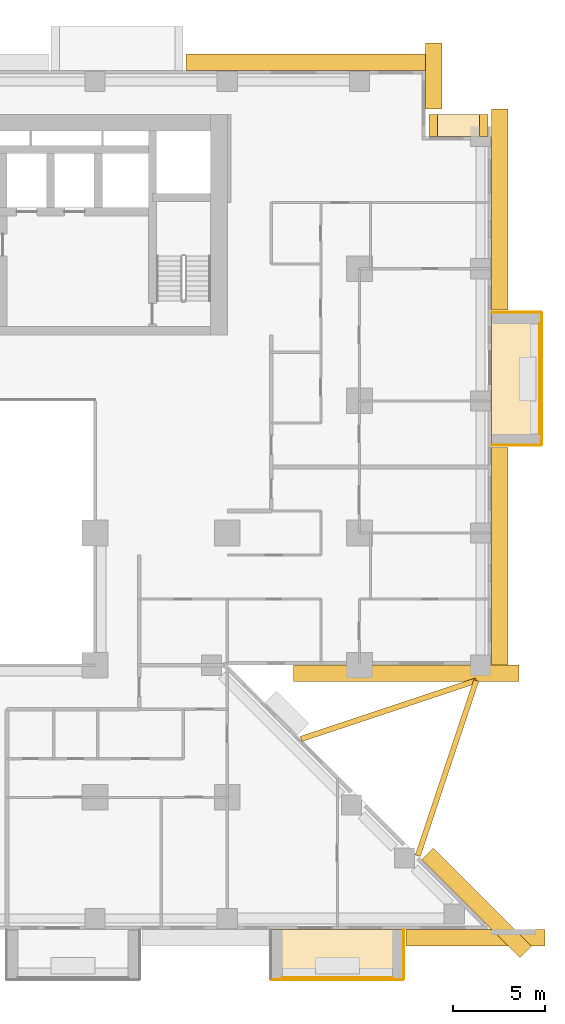
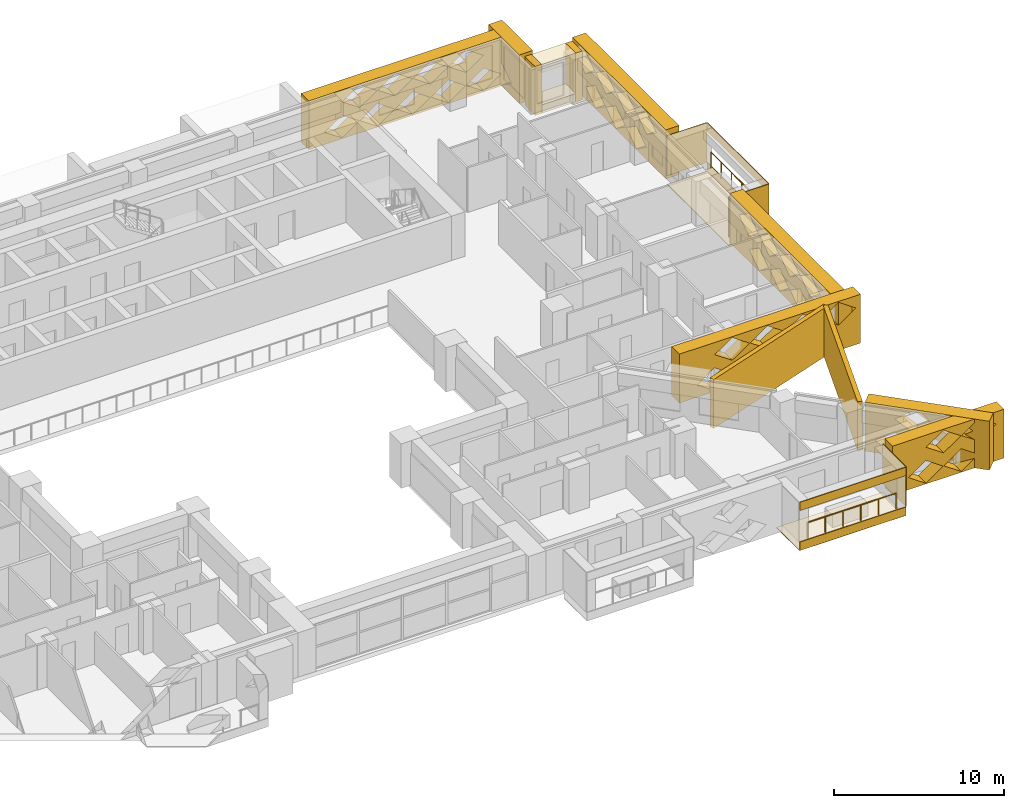
# One storey, part 17 of 17: 22 coverings, 2 railings.
"""IFC4 building model written with IfcOpenShell, lengths in metres."""

from ifc_helpers import new_model, si_unit, direction, frame, origin, origin_2d, place, context, subcontext, project, spatial, polyline, circle, outline, extrude, material, layer, layer_set, type_object, element, save


model = new_model("IFC4")

# Units and contexts
model_context = context("Model", 3, precision=1e-05, world=origin(), true_north=direction((0.0, 1.0)))
body_context = subcontext(model_context, "Body", "Model", "MODEL_VIEW")
ifc_project = project(units=[si_unit("LENGTHUNIT", "METRE"), si_unit("AREAUNIT", "SQUARE_METRE"), si_unit("VOLUMEUNIT", "CUBIC_METRE"), si_unit("PLANEANGLEUNIT", "RADIAN"), si_unit("MASSUNIT", "GRAM", prefix="KILO")], contexts=[model_context])

# Site, building, storey
site_placement = place(None, origin())
site = spatial("IfcSite", under=ifc_project, at=site_placement, CompositionType="ELEMENT")
building_placement = place(site_placement, origin())
building = spatial("IfcBuilding", under=site, at=building_placement, Name="Saffron Iwan Residences", CompositionType="ELEMENT")
storey_placement = place(building_placement, frame((0.0, 0.0, 58.5)))
storey = spatial("IfcBuildingStorey", under=building, at=storey_placement, Name="L14", CompositionType="ELEMENT", Elevation=58.5)

# Railings
ifc_material_1 = material(Name="Stainless steel 316", Category="steel")
railing_type = type_object("IfcRailingType", Name="BALCONY GUARD 1150", PredefinedType="GUARDRAIL", material=ifc_material_1)
railing_1_placement = place(storey_placement, frame((89.02490234375, 60.60009765625, 0.0)))
element("IfcRailing", 1, at=railing_1_placement, inside=storey, type_object=railing_type, Name="Balcony guard L14 F2-0", PredefinedType="GUARDRAIL", context=body_context, shape_type="SweptSolid", body=[
    extrude(circle(Radius=0.02392578125, at=origin_2d()), frame((0.0, 0.0, 1.1259765625), z_axis=(0.0, 1.0, 0.0), x_axis=(-1.0, 0.0, 0.0)), (0.0, 0.0, 1.0), 6.0),
    extrude(circle(Radius=0.02099609375, at=origin_2d()), origin(), (0.0, 0.0, 1.0), 1.101806640625),
    extrude(circle(Radius=0.02099609375, at=origin_2d()), frame((0.0, 1.199951171875, 0.0)), (0.0, 0.0, 1.0), 1.101806640625),
    extrude(circle(Radius=0.02099609375, at=origin_2d()), frame((0.0, 2.39990234375, 0.0)), (0.0, 0.0, 1.0), 1.101806640625),
    extrude(circle(Radius=0.02099609375, at=origin_2d()), frame((0.0, 3.60009765625, 0.0)), (0.0, 0.0, 1.0), 1.101806640625),
    extrude(circle(Radius=0.02099609375, at=origin_2d()), frame((0.0, 4.800048828125, 0.0)), (0.0, 0.0, 1.0), 1.101806640625),
    extrude(circle(Radius=0.02099609375, at=origin_2d()), frame((0.0, 6.0, 0.0)), (0.0, 0.0, 1.0), 1.101806640625),
])
railing_2_placement = place(storey_placement, frame((75.0, 30.97509765625, 0.0)))
element("IfcRailing", 2, at=railing_2_placement, inside=storey, type_object=railing_type, Name="Balcony guard L14 11-2", PredefinedType="GUARDRAIL", context=body_context, shape_type="SweptSolid", body=[
    extrude(circle(Radius=0.02392578125, at=origin_2d()), frame((0.0, 0.0, 1.1259765625), z_axis=(1.0, 0.0, 0.0), x_axis=(0.0, 1.0, 0.0)), (0.0, 0.0, 1.0), 6.0),
    extrude(circle(Radius=0.02099609375, at=origin_2d()), origin(), (0.0, 0.0, 1.0), 1.101806640625),
    extrude(circle(Radius=0.02099609375, at=origin_2d()), frame((1.199951171875, 0.0, 0.0)), (0.0, 0.0, 1.0), 1.101806640625),
    extrude(circle(Radius=0.02099609375, at=origin_2d()), frame((2.39990234375, 0.0, 0.0)), (0.0, 0.0, 1.0), 1.101806640625),
    extrude(circle(Radius=0.02099609375, at=origin_2d()), frame((3.60009765625, 0.0, 0.0)), (0.0, 0.0, 1.0), 1.101806640625),
    extrude(circle(Radius=0.02099609375, at=origin_2d()), frame((4.800048828125, 0.0, 0.0)), (0.0, 0.0, 1.0), 1.101806640625),
    extrude(circle(Radius=0.02099609375, at=origin_2d()), frame((6.0, 0.0, 0.0)), (0.0, 0.0, 1.0), 1.101806640625),
])

# Coverings
ifc_material_2 = material(Name="Precast concrete C40/50 white painted", Category="concrete")
ifc_layer_1 = layer(ifc_material_2, 0.050048828125)
ifc_layer_set_1 = layer_set([ifc_layer_1], Name="Precast concrete C40/50 white painted")
covering_type_1 = type_object("IfcCoveringType", Name="FRAME SKIN PRECAST WHITE 50", PredefinedType="CLADDING", material=ifc_layer_set_1)
for number, where, name in (
    (3, (0.0, 0.0, -0.60009765625), "Frame skin slab edge L14 F2-0"),
    (4, (0.0, 0.0, 2.25), "Frame skin fascia L14 F2-0"),
):
    element("IfcCovering", number, at=place(storey_placement, frame(where)), inside=storey, type_object=covering_type_1, Name=name, PredefinedType="CLADDING", context=body_context, shape_type="SweptSolid", body=[
        extrude(outline(polyline([(89.14990234375, 60.0), (89.14990234375, 67.199951171875), (89.10009765625, 67.199951171875), (89.10009765625, 60.0), (89.14990234375, 60.0)])), origin(), (0.0, 0.0, 1.0), 0.60009765625),
    ])
covering_1_placement = place(storey_placement, frame((0.0, 0.0, -0.64990234375)))
element("IfcCovering", 5, at=covering_1_placement, inside=storey, type_object=covering_type_1, Name="Frame skin soffit L14 F2-0", PredefinedType="CLADDING", context=body_context, shape_type="SweptSolid", body=[
    extrude(outline(polyline([(89.10009765625, 60.0), (89.10009765625, 67.199951171875), (86.39990234375, 67.199951171875), (86.39990234375, 60.0), (89.10009765625, 60.0)])), origin(), (0.0, 0.0, 1.0), 0.0498046875),
])
covering_2_placement = place(storey_placement, origin())
element("IfcCovering", 6, at=covering_2_placement, inside=storey, type_object=covering_type_1, Name="Frame skin fin L14 F2-0a", PredefinedType="CLADDING", context=body_context, shape_type="SweptSolid", body=[
    extrude(outline(polyline([(89.10009765625, 59.949951171875), (89.10009765625, 60.0), (86.39990234375, 60.0), (86.39990234375, 59.949951171875), (89.10009765625, 59.949951171875)])), origin(), (0.0, 0.0, 1.0), 2.85009765625),
])
covering_3_placement = place(storey_placement, origin())
element("IfcCovering", 7, at=covering_3_placement, inside=storey, type_object=covering_type_1, Name="Frame skin fin L14 F2-0b", PredefinedType="CLADDING", context=body_context, shape_type="SweptSolid", body=[
    extrude(outline(polyline([(89.10009765625, 67.199951171875), (89.10009765625, 67.25), (86.39990234375, 67.25), (86.39990234375, 67.199951171875), (89.10009765625, 67.199951171875)])), origin(), (0.0, 0.0, 1.0), 2.85009765625),
])
for number, where, name in (
    (8, (0.0, 0.0, -0.60009765625), "Frame skin slab edge L14 11-2"),
    (9, (0.0, 0.0, 2.25), "Frame skin fascia L14 11-2"),
):
    element("IfcCovering", number, at=place(storey_placement, frame(where)), inside=storey, type_object=covering_type_1, Name=name, PredefinedType="CLADDING", context=body_context, shape_type="SweptSolid", body=[
        extrude(outline(polyline([(74.39990234375, 30.85009765625), (81.60009765625, 30.85009765625), (81.60009765625, 30.89990234375), (74.39990234375, 30.89990234375), (74.39990234375, 30.85009765625)])), origin(), (0.0, 0.0, 1.0), 0.60009765625),
    ])
covering_4_placement = place(storey_placement, frame((0.0, 0.0, -0.64990234375)))
element("IfcCovering", 10, at=covering_4_placement, inside=storey, type_object=covering_type_1, Name="Frame skin soffit L14 11-2", PredefinedType="CLADDING", context=body_context, shape_type="SweptSolid", body=[
    extrude(outline(polyline([(74.39990234375, 30.89990234375), (81.60009765625, 30.89990234375), (81.60009765625, 33.60009765625), (74.39990234375, 33.60009765625), (74.39990234375, 30.89990234375)])), origin(), (0.0, 0.0, 1.0), 0.0498046875),
])
covering_5_placement = place(storey_placement, origin())
element("IfcCovering", 11, at=covering_5_placement, inside=storey, type_object=covering_type_1, Name="Frame skin fin L14 11-2b", PredefinedType="CLADDING", context=body_context, shape_type="SweptSolid", body=[
    extrude(outline(polyline([(81.60009765625, 30.89990234375), (81.64990234375, 30.89990234375), (81.64990234375, 33.60009765625), (81.60009765625, 33.60009765625), (81.60009765625, 30.89990234375)])), origin(), (0.0, 0.0, 1.0), 2.85009765625),
])
ifc_material_3 = material(Name="Precast concrete C40/50", Category="concrete")
covering_type_2 = type_object("IfcCoveringType", Name="OUTER SKIN LATTICE SCREEN", PredefinedType="CLADDING", material=ifc_material_3)
covering_6_placement = place(storey_placement, frame((87.939453125, 32.060546875, -0.320068359375), z_axis=(0.706971125213, 0.70724241114, 0.0), x_axis=(-0.70724241114, 0.706971125213, 0.0)))
element("IfcCovering", 12, at=covering_6_placement, inside=storey, type_object=covering_type_2, Name="OUTER SKIN lattice screen L14 F0.0", PredefinedType="CLADDING", context=body_context, shape_type="SweptSolid", body=[
    extrude(outline(polyline([(0.0, 0.0), (7.559326171875, 0.0), (7.559326171875, 3.5), (0.0, 3.5), (0.0, 0.0)]), holes=[polyline([(2.197021484375, 0.875), (3.377197265625, 0.06005859375), (4.55712890625, 0.875), (3.377197265625, 1.68994140625), (2.197021484375, 0.875)]), polyline([(4.59716796875, 0.875), (5.777099609375, 0.06005859375), (6.95703125, 0.875), (5.777099609375, 1.68994140625), (4.59716796875, 0.875)]), polyline([(0.9970703125, 2.625), (2.177001953125, 1.81005859375), (3.357177734375, 2.625), (2.177001953125, 3.43994140625), (0.9970703125, 2.625)]), polyline([(3.397216796875, 2.625), (4.5771484375, 1.81005859375), (5.757080078125, 2.625), (4.5771484375, 3.43994140625), (3.397216796875, 2.625)])]), origin(), (0.0, 0.0, 1.0), 0.89990234375),
])
covering_7_placement = place(storey_placement, frame((75.6171875, 48.0, -0.320068359375), z_axis=(0.0, -1.0, 0.0), x_axis=(1.0, 0.0, 0.0)))
element("IfcCovering", 13, at=covering_7_placement, inside=storey, type_object=covering_type_2, Name="OUTER SKIN lattice screen L14 F1.0", PredefinedType="CLADDING", context=body_context, shape_type="SweptSolid", body=[
    extrude(outline(polyline([(0.0, 0.0), (12.282958984375, 0.0), (12.282958984375, 3.5), (0.0, 3.5), (0.0, 0.0)]), holes=[polyline([(1.202880859375, 0.875), (2.3828125, 0.06005859375), (3.56298828125, 0.875), (2.3828125, 1.68994140625), (1.202880859375, 0.875)]), polyline([(3.602783203125, 0.875), (4.782958984375, 0.06005859375), (5.962890625, 0.875), (4.782958984375, 1.68994140625), (3.602783203125, 0.875)]), polyline([(6.0029296875, 0.875), (7.182861328125, 0.06005859375), (8.36279296875, 0.875), (7.182861328125, 1.68994140625), (6.0029296875, 0.875)]), polyline([(8.40283203125, 0.875), (9.5830078125, 0.06005859375), (10.762939453125, 0.875), (9.5830078125, 1.68994140625), (8.40283203125, 0.875)]), polyline([(2.40283203125, 2.625), (3.5830078125, 1.81005859375), (4.762939453125, 2.625), (3.5830078125, 3.43994140625), (2.40283203125, 2.625)]), polyline([(4.802978515625, 2.625), (5.98291015625, 1.81005859375), (7.162841796875, 2.625), (5.98291015625, 3.43994140625), (4.802978515625, 2.625)]), polyline([(7.202880859375, 2.625), (8.3828125, 1.81005859375), (9.56298828125, 2.625), (8.3828125, 3.43994140625), (7.202880859375, 2.625)]), polyline([(9.602783203125, 2.625), (10.782958984375, 1.81005859375), (11.962890625, 2.625), (10.782958984375, 3.43994140625), (9.602783203125, 2.625)])]), origin(), (0.0, 0.0, 1.0), 0.89990234375),
])
covering_8_placement = place(storey_placement, frame((86.39990234375, 47.10009765625, -0.320068359375), z_axis=(1.0, 0.0, 0.0), x_axis=(0.0, 1.0, 0.0)))
element("IfcCovering", 14, at=covering_8_placement, inside=storey, type_object=covering_type_2, Name="OUTER SKIN lattice screen L14 F2.0", PredefinedType="CLADDING", context=body_context, shape_type="SweptSolid", body=[
    extrude(outline(polyline([(0.0, 0.0), (12.75, 0.0), (12.75, 3.5), (0.0, 3.5), (0.0, 0.0)]), holes=[polyline([(0.919921875, 0.875), (2.10009765625, 0.06005859375), (3.280029296875, 0.875), (2.10009765625, 1.68994140625), (0.919921875, 0.875)]), polyline([(3.320068359375, 0.875), (4.5, 0.06005859375), (5.679931640625, 0.875), (4.5, 1.68994140625), (3.320068359375, 0.875)]), polyline([(5.719970703125, 0.875), (6.89990234375, 0.06005859375), (8.080078125, 0.875), (6.89990234375, 1.68994140625), (5.719970703125, 0.875)]), polyline([(8.1201171875, 0.875), (9.300048828125, 0.06005859375), (10.47998046875, 0.875), (9.300048828125, 1.68994140625), (8.1201171875, 0.875)]), polyline([(2.1201171875, 2.625), (3.300048828125, 1.81005859375), (4.47998046875, 2.625), (3.300048828125, 3.43994140625), (2.1201171875, 2.625)]), polyline([(4.52001953125, 2.625), (5.699951171875, 1.81005859375), (6.8798828125, 2.625), (5.699951171875, 3.43994140625), (4.52001953125, 2.625)]), polyline([(6.919921875, 2.625), (8.10009765625, 1.81005859375), (9.280029296875, 2.625), (8.10009765625, 3.43994140625), (6.919921875, 2.625)]), polyline([(9.320068359375, 2.625), (10.5, 1.81005859375), (11.679931640625, 2.625), (10.5, 3.43994140625), (9.320068359375, 2.625)])]), origin(), (0.0, 0.0, 1.0), 0.900146484375),
])
covering_9_placement = place(storey_placement, frame((86.39990234375, 67.35009765625, -0.320068359375), z_axis=(1.0, 0.0, 0.0), x_axis=(0.0, 1.0, 0.0)))
element("IfcCovering", 15, at=covering_9_placement, inside=storey, type_object=covering_type_2, Name="OUTER SKIN lattice screen L14 F2.1", PredefinedType="CLADDING", context=body_context, shape_type="SweptSolid", body=[
    extrude(outline(polyline([(0.0, 0.0), (10.949951171875, 0.0), (10.949951171875, 3.5), (0.0, 3.5), (0.0, 0.0)]), holes=[polyline([(2.27001953125, 0.875), (3.449951171875, 0.06005859375), (4.6298828125, 0.875), (3.449951171875, 1.68994140625), (2.27001953125, 0.875)]), polyline([(4.669921875, 0.875), (5.85009765625, 0.06005859375), (7.030029296875, 0.875), (5.85009765625, 1.68994140625), (4.669921875, 0.875)]), polyline([(7.070068359375, 0.875), (8.25, 0.06005859375), (9.429931640625, 0.875), (8.25, 1.68994140625), (7.070068359375, 0.875)]), polyline([(1.070068359375, 2.625), (2.25, 1.81005859375), (3.429931640625, 2.625), (2.25, 3.43994140625), (1.070068359375, 2.625)]), polyline([(3.469970703125, 2.625), (4.64990234375, 1.81005859375), (5.830078125, 2.625), (4.64990234375, 3.43994140625), (3.469970703125, 2.625)]), polyline([(5.8701171875, 2.625), (7.050048828125, 1.81005859375), (8.22998046875, 2.625), (7.050048828125, 3.43994140625), (5.8701171875, 2.625)]), polyline([(8.27001953125, 2.625), (9.449951171875, 1.81005859375), (10.6298828125, 2.625), (9.449951171875, 3.43994140625), (8.27001953125, 2.625)])]), origin(), (0.0, 0.0, 1.0), 0.900146484375),
])
covering_10_placement = place(storey_placement, frame((82.800048828125, 78.300048828125, -0.320068359375), z_axis=(1.0, 0.0, 0.0), x_axis=(0.0, 1.0, 0.0)))
element("IfcCovering", 16, at=covering_10_placement, inside=storey, type_object=covering_type_2, Name="OUTER SKIN lattice screen L14 F4.0", PredefinedType="CLADDING", context=body_context, shape_type="SweptSolid", body=[
    extrude(outline(polyline([(0.0, 0.0), (3.60009765625, 0.0), (3.60009765625, 3.5), (0.0, 3.5), (0.0, 0.0)]), holes=[polyline([(0.919921875, 0.875), (2.10009765625, 0.06005859375), (3.280029296875, 0.875), (2.10009765625, 1.68994140625), (0.919921875, 0.875)])]), origin(), (0.0, 0.0, 1.0), 0.89990234375),
])
covering_11_placement = place(storey_placement, frame((83.699951171875, 80.39990234375, -0.320068359375), z_axis=(0.0, 1.0, 0.0), x_axis=(-1.0, 0.0, 0.0)))
element("IfcCovering", 17, at=covering_11_placement, inside=storey, type_object=covering_type_2, Name="OUTER SKIN lattice screen L14 F5.0", PredefinedType="CLADDING", context=body_context, shape_type="SweptSolid", body=[
    extrude(outline(polyline([(0.0, 0.0), (13.949951171875, 0.0), (13.949951171875, 3.5), (0.0, 3.5), (0.0, 0.0)]), holes=[polyline([(0.919921875, 0.875), (2.10009765625, 0.06005859375), (3.280029296875, 0.875), (2.10009765625, 1.68994140625), (0.919921875, 0.875)]), polyline([(3.320068359375, 0.875), (4.5, 0.06005859375), (5.679931640625, 0.875), (4.5, 1.68994140625), (3.320068359375, 0.875)]), polyline([(5.719970703125, 0.875), (6.89990234375, 0.06005859375), (8.080078125, 0.875), (6.89990234375, 1.68994140625), (5.719970703125, 0.875)]), polyline([(8.1201171875, 0.875), (9.300048828125, 0.06005859375), (10.47998046875, 0.875), (9.300048828125, 1.68994140625), (8.1201171875, 0.875)]), polyline([(10.52001953125, 0.875), (11.699951171875, 0.06005859375), (12.8798828125, 0.875), (11.699951171875, 1.68994140625), (10.52001953125, 0.875)]), polyline([(2.1201171875, 2.625), (3.300048828125, 1.81005859375), (4.47998046875, 2.625), (3.300048828125, 3.43994140625), (2.1201171875, 2.625)]), polyline([(4.52001953125, 2.625), (5.699951171875, 1.81005859375), (6.8798828125, 2.625), (5.699951171875, 3.43994140625), (4.52001953125, 2.625)]), polyline([(6.919921875, 2.625), (8.10009765625, 1.81005859375), (9.280029296875, 2.625), (8.10009765625, 3.43994140625), (6.919921875, 2.625)]), polyline([(9.320068359375, 2.625), (10.5, 1.81005859375), (11.679931640625, 2.625), (10.5, 3.43994140625), (9.320068359375, 2.625)])]), origin(), (0.0, 0.0, 1.0), 0.900146484375),
])
covering_12_placement = place(storey_placement, frame((81.75, 33.60009765625, -0.320068359375), z_axis=(0.0, -1.0, 0.0), x_axis=(1.0, 0.0, 0.0)))
element("IfcCovering", 18, at=covering_12_placement, inside=storey, type_object=covering_type_2, Name="OUTER SKIN lattice screen L14 F11.3", PredefinedType="CLADDING", context=body_context, shape_type="SweptSolid", body=[
    extrude(outline(polyline([(0.0, 0.0), (7.547119140625, 0.0), (7.547119140625, 3.5), (0.0, 3.5), (0.0, 0.0)]), holes=[polyline([(1.070068359375, 0.875), (2.25, 0.06005859375), (3.429931640625, 0.875), (2.25, 1.68994140625), (1.070068359375, 0.875)]), polyline([(3.469970703125, 0.875), (4.64990234375, 0.06005859375), (5.830078125, 0.875), (4.64990234375, 1.68994140625), (3.469970703125, 0.875)]), polyline([(2.27001953125, 2.625), (3.449951171875, 1.81005859375), (4.6298828125, 2.625), (3.449951171875, 3.43994140625), (2.27001953125, 2.625)]), polyline([(4.669921875, 2.625), (5.85009765625, 1.81005859375), (7.030029296875, 2.625), (5.85009765625, 3.43994140625), (4.669921875, 2.625)])]), origin(), (0.0, 0.0, 1.0), 0.900146484375),
])
ifc_layer_2 = layer(ifc_material_2, 0.300048828125)
ifc_layer_set_2 = layer_set([ifc_layer_2], Name="Precast concrete C40/50 white painted")
covering_type_3 = type_object("IfcCoveringType", Name="PROW NOSE BLADE PRECAST WHITE", PredefinedType="CLADDING", material=ifc_layer_set_2)
covering_13_placement = place(storey_placement, frame((0.0, 0.0, -0.320068359375)))
element("IfcCovering", 19, at=covering_13_placement, inside=storey, type_object=covering_type_3, Name="Prow nose blade L14 a", PredefinedType="CLADDING", context=body_context, shape_type="SweptSolid", body=[
    extrude(outline(polyline([(82.5244140625, 37.570556640625), (85.706298828125, 47.116455078125), (85.421630859375, 47.21142578125), (82.23974609375, 37.66552734375), (82.5244140625, 37.570556640625)])), origin(), (0.0, 0.0, 1.0), 3.5),
])
covering_14_placement = place(storey_placement, frame((0.0, 0.0, -0.320068359375)))
element("IfcCovering", 20, at=covering_14_placement, inside=storey, type_object=covering_type_3, Name="Prow nose blade L14 b", PredefinedType="CLADDING", context=body_context, shape_type="SweptSolid", body=[
    extrude(outline(polyline([(76.0654296875, 43.839599609375), (85.611328125, 47.021728515625), (85.5166015625, 47.306396484375), (75.970703125, 44.124267578125), (76.0654296875, 43.839599609375)])), origin(), (0.0, 0.0, 1.0), 3.5),
])
covering_type_4 = type_object("IfcCoveringType", Name="WHITE SUN FRAME PRECAST", PredefinedType="CLADDING", material=ifc_material_2)
for number, where, z_axis, x_axis, name in (
    (21, (86.199951171875, 76.800048828125, -0.320068359375), (0.0, 1.0, 0.0), (-1.0, 0.0, 0.0), "Sun frame L14 F3 0.2a"),
    (22, (83.449951171875, 76.800048828125, -0.320068359375), (0.0, 1.0, 0.0), (-1.0, 0.0, 0.0), "Sun frame L14 F3 0.2b"),
):
    element("IfcCovering", number, at=place(storey_placement, frame(where, z_axis=z_axis, x_axis=x_axis)), inside=storey, type_object=covering_type_4, Name=name, PredefinedType="CLADDING", context=body_context, shape_type="SweptSolid", body=[
        extrude(outline(polyline([(0.0, 0.0), (0.449951171875, 0.0), (0.449951171875, 3.5), (0.0, 3.5), (0.0, 0.0)])), origin(), (0.0, 0.0, 1.0), 1.199951171875),
    ])
for number, where, z_axis, x_axis, name in (
    (23, (85.75, 76.800048828125, 2.580078125), (0.0, 1.0, 0.0), (-1.0, 0.0, 0.0), "Sun frame L14 F3 0.2h"),
    (24, (85.75, 76.800048828125, -0.320068359375), (0.0, 1.0, 0.0), (-1.0, 0.0, 0.0), "Sun frame L14 F3 0.2s"),
):
    element("IfcCovering", number, at=place(storey_placement, frame(where, z_axis=z_axis, x_axis=x_axis)), inside=storey, type_object=covering_type_4, Name=name, PredefinedType="CLADDING", context=body_context, shape_type="SweptSolid", body=[
        extrude(outline(polyline([(0.0, 0.0), (2.300048828125, 0.0), (2.300048828125, 0.60009765625), (0.0, 0.60009765625), (0.0, 0.0)])), origin(), (0.0, 0.0, 1.0), 1.199951171875),
    ])

save(model, "model.ifc")
